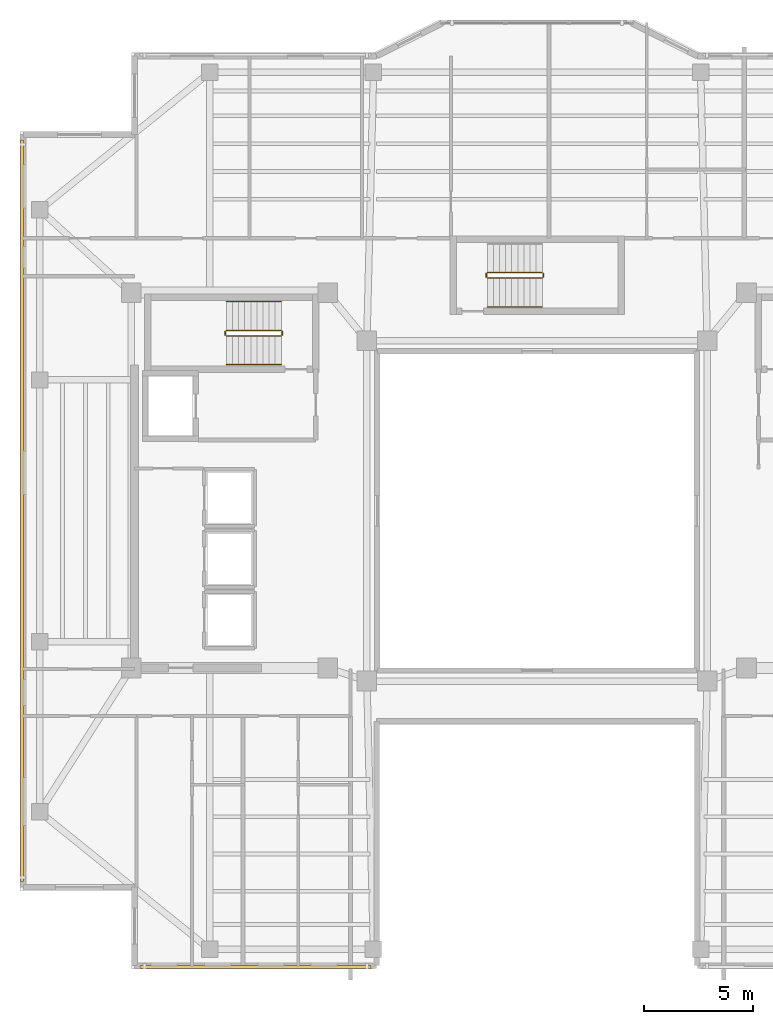
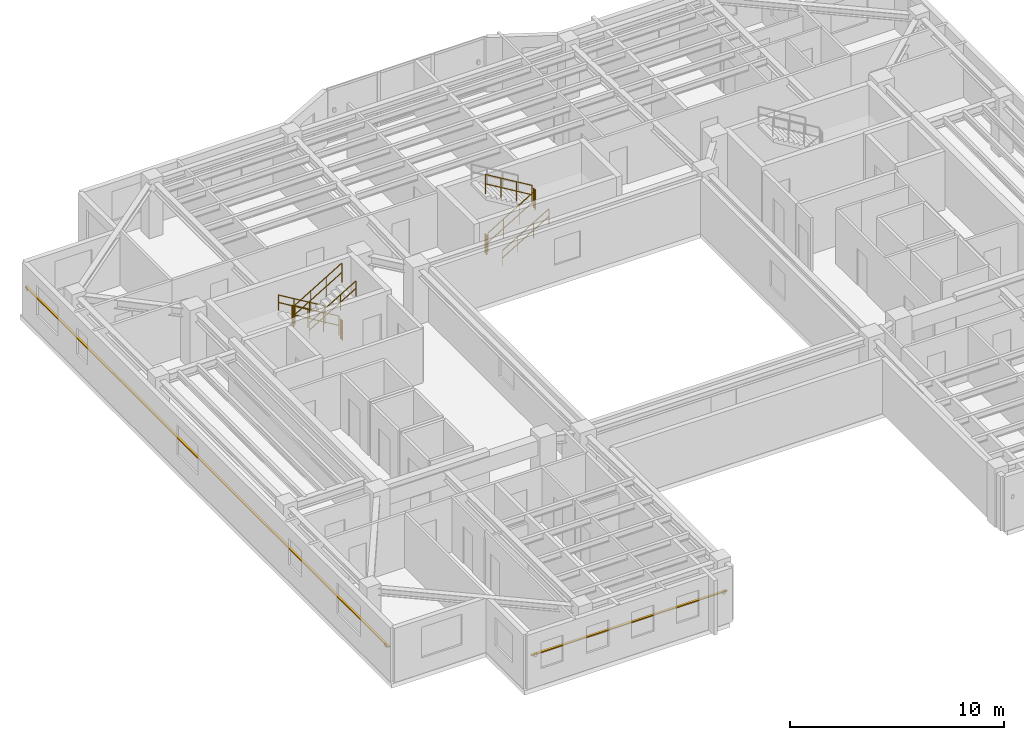
# One storey, part 9 of 11: 11 railings, 2 shading devices.
"""IFC4 building model written with IfcOpenShell, lengths in metres."""

from ifc_helpers import new_model, si_unit, direction, frame, origin, origin_2d, place, context, subcontext, project, spatial, rectangle, circle, extrude, material, material_profile, profile_set, type_object, element, save


model = new_model("IFC4")

# Units and contexts
model_context = context("Model", 3, precision=1e-05, world=origin(), true_north=direction((0.0, 1.0)))
body_context = subcontext(model_context, "Body", "Model", "MODEL_VIEW")
ifc_project = project(units=[si_unit("LENGTHUNIT", "METRE"), si_unit("AREAUNIT", "SQUARE_METRE"), si_unit("VOLUMEUNIT", "CUBIC_METRE"), si_unit("PLANEANGLEUNIT", "RADIAN"), si_unit("MASSUNIT", "GRAM", prefix="KILO")], contexts=[model_context])

# Site, building, storey
site_placement = place(None, origin())
site = spatial("IfcSite", under=ifc_project, at=site_placement, CompositionType="ELEMENT")
building_placement = place(site_placement, origin())
building = spatial("IfcBuilding", under=site, at=building_placement, Name="Tarnavaz Court Tower", CompositionType="ELEMENT")
storey_placement = place(building_placement, frame((0.0, 0.0, 217.050048828125)))
storey = spatial("IfcBuildingStorey", under=building, at=storey_placement, Name="L59", CompositionType="ELEMENT", Elevation=217.050048828125)

# Railings
ifc_material_1 = material(Name="Brushed Stainless Steel", Category="steel")
railing_type_1 = type_object("IfcRailingType", Name="RL-HANDRAIL-900", PredefinedType="HANDRAIL", material=ifc_material_1)
railing_1_placement = place(storey_placement, frame((-11.719970703125, 9.590087890625, 0.16748046875)))
element("IfcRailing", 1, at=railing_1_placement, inside=storey, type_object=railing_type_1, Name="L59 ST-W1 stair handrail 1", PredefinedType="HANDRAIL", context=body_context, shape_type="SweptSolid", body=[
    extrude(circle(Radius=0.02392578125, at=origin_2d()), frame((0.0, 0.0, 0.8759765625), z_axis=(-0.858159760407, 0.0, 0.513382728203), x_axis=(0.0, -1.0, 0.0)), (0.0, 0.0, 1.0), 2.9365234375),
    extrude(circle(Radius=0.02392578125, at=origin_2d()), frame((0.0, 0.0, 0.449951171875), z_axis=(-0.858159760407, 0.0, 0.513382728203), x_axis=(0.0, -1.0, 0.0)), (0.0, 0.0, 1.0), 2.9365234375),
    extrude(circle(Radius=0.02099609375, at=origin_2d()), origin(), (0.0, 0.0, 1.0), 0.851806640625),
    extrude(circle(Radius=0.02099609375, at=origin_2d()), frame((-0.840087890625, 0.0, 0.50244140625)), (0.0, 0.0, 1.0), 0.851806640625),
    extrude(circle(Radius=0.02099609375, at=origin_2d()), frame((-1.679931640625, 0.0, 1.005126953125)), (0.0, 0.0, 1.0), 0.851806640625),
    extrude(circle(Radius=0.02099609375, at=origin_2d()), frame((-2.52001953125, 0.0, 1.507568359375)), (0.0, 0.0, 1.0), 0.851806640625),
])
railing_2_placement = place(storey_placement, frame((-14.239990234375, 6.699951171875, 1.842529296875)))
element("IfcRailing", 2, at=railing_2_placement, inside=storey, type_object=railing_type_1, Name="L59 ST-W1 stair handrail 2", PredefinedType="HANDRAIL", context=body_context, shape_type="SweptSolid", body=[
    extrude(circle(Radius=0.02392578125, at=origin_2d()), frame((0.0, 0.0, 0.8759765625), z_axis=(0.858196387827, 0.0, 0.513321497621), x_axis=(0.0, 1.0, 0.0)), (0.0, 0.0, 1.0), 2.9365234375),
    extrude(circle(Radius=0.02392578125, at=origin_2d()), frame((0.0, 0.0, 0.449951171875), z_axis=(0.858196387827, 0.0, 0.513321497621), x_axis=(0.0, 1.0, 0.0)), (0.0, 0.0, 1.0), 2.9365234375),
    extrude(circle(Radius=0.02099609375, at=origin_2d()), origin(), (0.0, 0.0, 1.0), 0.851806640625),
    extrude(circle(Radius=0.02099609375, at=origin_2d()), frame((0.840087890625, 0.0, 0.50244140625)), (0.0, 0.0, 1.0), 0.851806640625),
    extrude(circle(Radius=0.02099609375, at=origin_2d()), frame((1.679931640625, 0.0, 1.0048828125)), (0.0, 0.0, 1.0), 0.851806640625),
    extrude(circle(Radius=0.02099609375, at=origin_2d()), frame((2.52001953125, 0.0, 1.50732421875)), (0.0, 0.0, 1.0), 0.851806640625),
])
railing_3_placement = place(storey_placement, frame((-2.280029296875, 9.35009765625, 0.16748046875)))
element("IfcRailing", 3, at=railing_3_placement, inside=storey, type_object=railing_type_1, Name="L59 ST-N1 stair handrail 1", PredefinedType="HANDRAIL", context=body_context, shape_type="SweptSolid", body=[
    extrude(circle(Radius=0.02392578125, at=origin_2d()), frame((0.0, 0.0, 0.8759765625), z_axis=(0.858159760407, 0.0, 0.513382728203), x_axis=(0.0, 1.0, 0.0)), (0.0, 0.0, 1.0), 2.9365234375),
    extrude(circle(Radius=0.02392578125, at=origin_2d()), frame((0.0, 0.0, 0.449951171875), z_axis=(0.858159760407, 0.0, 0.513382728203), x_axis=(0.0, 1.0, 0.0)), (0.0, 0.0, 1.0), 2.9365234375),
    extrude(circle(Radius=0.02099609375, at=origin_2d()), origin(), (0.0, 0.0, 1.0), 0.851806640625),
    extrude(circle(Radius=0.02099609375, at=origin_2d()), frame((0.840087890625, 0.0, 0.50244140625)), (0.0, 0.0, 1.0), 0.851806640625),
    extrude(circle(Radius=0.02099609375, at=origin_2d()), frame((1.679931640625, 0.0, 1.005126953125)), (0.0, 0.0, 1.0), 0.851806640625),
    extrude(circle(Radius=0.02099609375, at=origin_2d()), frame((2.52001953125, 0.0, 1.507568359375)), (0.0, 0.0, 1.0), 0.851806640625),
])
ifc_material_2 = material(Name="Galvanized Painted Tubular Steel", Category="steel")
railing_type_2 = type_object("IfcRailingType", Name="RL-STGUARD-1120", PredefinedType="GUARDRAIL", material=ifc_material_2)
railing_4_placement = place(storey_placement, frame((-11.719970703125, 8.27001953125, 0.16748046875)))
element("IfcRailing", 4, at=railing_4_placement, inside=storey, type_object=railing_type_2, Name="L59 ST-W1 stair guard 1", PredefinedType="GUARDRAIL", context=body_context, shape_type="SweptSolid", body=[
    extrude(circle(Radius=0.02392578125, at=origin_2d()), frame((0.0, 0.0, 1.09619140625), z_axis=(-0.858159760407, 0.0, 0.513382728203), x_axis=(0.0, -1.0, 0.0)), (0.0, 0.0, 1.0), 2.9365234375),
    extrude(circle(Radius=0.02392578125, at=origin_2d()), frame((0.0, 0.0, 0.56005859375), z_axis=(-0.858159760407, 0.0, 0.513382728203), x_axis=(0.0, -1.0, 0.0)), (0.0, 0.0, 1.0), 2.9365234375),
    extrude(circle(Radius=0.02099609375, at=origin_2d()), origin(), (0.0, 0.0, 1.0), 1.072021484375),
    extrude(circle(Radius=0.02099609375, at=origin_2d()), frame((-0.840087890625, 0.0, 0.50244140625)), (0.0, 0.0, 1.0), 1.072021484375),
    extrude(circle(Radius=0.02099609375, at=origin_2d()), frame((-1.679931640625, 0.0, 1.005126953125)), (0.0, 0.0, 1.0), 1.072021484375),
    extrude(circle(Radius=0.02099609375, at=origin_2d()), frame((-2.52001953125, 0.0, 1.507568359375)), (0.0, 0.0, 1.0), 1.072021484375),
])
railing_5_placement = place(storey_placement, frame((-14.2900390625, 8.219970703125, 1.675048828125)))
element("IfcRailing", 5, at=railing_5_placement, inside=storey, type_object=railing_type_2, Name="L59 ST-W1 stair guard 2", PredefinedType="GUARDRAIL", context=body_context, shape_type="SweptSolid", body=[
    extrude(circle(Radius=0.02392578125, at=origin_2d()), frame((0.0, 0.0, 1.09619140625), z_axis=(0.0, -1.0, 0.0), x_axis=(1.0, 0.0, 0.0)), (0.0, 0.0, 1.0), 0.14990234375),
    extrude(circle(Radius=0.02392578125, at=origin_2d()), frame((0.0, 0.0, 0.56005859375), z_axis=(0.0, -1.0, 0.0), x_axis=(1.0, 0.0, 0.0)), (0.0, 0.0, 1.0), 0.14990234375),
    extrude(circle(Radius=0.02099609375, at=origin_2d()), origin(), (0.0, 0.0, 1.0), 1.072021484375),
    extrude(circle(Radius=0.02099609375, at=origin_2d()), frame((0.0, -0.14990234375, 0.0)), (0.0, 0.0, 1.0), 1.072021484375),
])
railing_6_placement = place(storey_placement, frame((-14.239990234375, 8.02001953125, 1.842529296875)))
element("IfcRailing", 6, at=railing_6_placement, inside=storey, type_object=railing_type_2, Name="L59 ST-W1 stair guard 3", PredefinedType="GUARDRAIL", context=body_context, shape_type="SweptSolid", body=[
    extrude(circle(Radius=0.02392578125, at=origin_2d()), frame((0.0, 0.0, 1.09619140625), z_axis=(0.858196387827, 0.0, 0.513321497621), x_axis=(0.0, 1.0, 0.0)), (0.0, 0.0, 1.0), 2.9365234375),
    extrude(circle(Radius=0.02392578125, at=origin_2d()), frame((0.0, 0.0, 0.56005859375), z_axis=(0.858196387827, 0.0, 0.513321497621), x_axis=(0.0, 1.0, 0.0)), (0.0, 0.0, 1.0), 2.9365234375),
    extrude(circle(Radius=0.02099609375, at=origin_2d()), origin(), (0.0, 0.0, 1.0), 1.072021484375),
    extrude(circle(Radius=0.02099609375, at=origin_2d()), frame((0.840087890625, 0.0, 0.50244140625)), (0.0, 0.0, 1.0), 1.072021484375),
    extrude(circle(Radius=0.02099609375, at=origin_2d()), frame((1.679931640625, 0.0, 1.0048828125)), (0.0, 0.0, 1.0), 1.072021484375),
    extrude(circle(Radius=0.02099609375, at=origin_2d()), frame((2.52001953125, 0.0, 1.50732421875)), (0.0, 0.0, 1.0), 1.072021484375),
])
railing_7_placement = place(storey_placement, frame((-11.669921875, 8.219970703125, 0.0)))
element("IfcRailing", 7, at=railing_7_placement, inside=storey, type_object=railing_type_2, Name="L59 ST-W1 stair guard 4", PredefinedType="GUARDRAIL", context=body_context, shape_type="SweptSolid", body=[
    extrude(circle(Radius=0.02392578125, at=origin_2d()), frame((0.0, 0.0, 1.09619140625), z_axis=(0.0, -1.0, 0.0), x_axis=(1.0, 0.0, 0.0)), (0.0, 0.0, 1.0), 0.14990234375),
    extrude(circle(Radius=0.02392578125, at=origin_2d()), frame((0.0, 0.0, 0.56005859375), z_axis=(0.0, -1.0, 0.0), x_axis=(1.0, 0.0, 0.0)), (0.0, 0.0, 1.0), 0.14990234375),
    extrude(circle(Radius=0.02099609375, at=origin_2d()), origin(), (0.0, 0.0, 1.0), 1.072021484375),
    extrude(circle(Radius=0.02099609375, at=origin_2d()), frame((0.0, -0.14990234375, 0.0)), (0.0, 0.0, 1.0), 1.072021484375),
])
railing_8_placement = place(storey_placement, frame((-2.280029296875, 10.669921875, 0.16748046875)))
element("IfcRailing", 8, at=railing_8_placement, inside=storey, type_object=railing_type_2, Name="L59 ST-N1 stair guard 1", PredefinedType="GUARDRAIL", context=body_context, shape_type="SweptSolid", body=[
    extrude(circle(Radius=0.02392578125, at=origin_2d()), frame((0.0, 0.0, 1.09619140625), z_axis=(0.858159760407, 0.0, 0.513382728203), x_axis=(0.0, 1.0, 0.0)), (0.0, 0.0, 1.0), 2.9365234375),
    extrude(circle(Radius=0.02392578125, at=origin_2d()), frame((0.0, 0.0, 0.56005859375), z_axis=(0.858159760407, 0.0, 0.513382728203), x_axis=(0.0, 1.0, 0.0)), (0.0, 0.0, 1.0), 2.9365234375),
    extrude(circle(Radius=0.02099609375, at=origin_2d()), origin(), (0.0, 0.0, 1.0), 1.072021484375),
    extrude(circle(Radius=0.02099609375, at=origin_2d()), frame((0.840087890625, 0.0, 0.50244140625)), (0.0, 0.0, 1.0), 1.072021484375),
    extrude(circle(Radius=0.02099609375, at=origin_2d()), frame((1.679931640625, 0.0, 1.005126953125)), (0.0, 0.0, 1.0), 1.072021484375),
    extrude(circle(Radius=0.02099609375, at=origin_2d()), frame((2.52001953125, 0.0, 1.507568359375)), (0.0, 0.0, 1.0), 1.072021484375),
])
railing_9_placement = place(storey_placement, frame((0.2900390625, 10.719970703125, 1.675048828125)))
element("IfcRailing", 9, at=railing_9_placement, inside=storey, type_object=railing_type_2, Name="L59 ST-N1 stair guard 2", PredefinedType="GUARDRAIL", context=body_context, shape_type="SweptSolid", body=[
    extrude(circle(Radius=0.02392578125, at=origin_2d()), frame((0.0, 0.0, 1.09619140625), z_axis=(0.0, 1.0, 0.0), x_axis=(-1.0, 0.0, 0.0)), (0.0, 0.0, 1.0), 0.150146484375),
    extrude(circle(Radius=0.02392578125, at=origin_2d()), frame((0.0, 0.0, 0.56005859375), z_axis=(0.0, 1.0, 0.0), x_axis=(-1.0, 0.0, 0.0)), (0.0, 0.0, 1.0), 0.150146484375),
    extrude(circle(Radius=0.02099609375, at=origin_2d()), origin(), (0.0, 0.0, 1.0), 1.072021484375),
    extrude(circle(Radius=0.02099609375, at=origin_2d()), frame((0.0, 0.150146484375, 0.0)), (0.0, 0.0, 1.0), 1.072021484375),
])
railing_10_placement = place(storey_placement, frame((0.239990234375, 10.919921875, 1.842529296875)))
element("IfcRailing", 10, at=railing_10_placement, inside=storey, type_object=railing_type_2, Name="L59 ST-N1 stair guard 3", PredefinedType="GUARDRAIL", context=body_context, shape_type="SweptSolid", body=[
    extrude(circle(Radius=0.02392578125, at=origin_2d()), frame((0.0, 0.0, 1.09619140625), z_axis=(-0.858196387827, 0.0, 0.513321497621), x_axis=(0.0, -1.0, 0.0)), (0.0, 0.0, 1.0), 2.9365234375),
    extrude(circle(Radius=0.02392578125, at=origin_2d()), frame((0.0, 0.0, 0.56005859375), z_axis=(-0.858196387827, 0.0, 0.513321497621), x_axis=(0.0, -1.0, 0.0)), (0.0, 0.0, 1.0), 2.9365234375),
    extrude(circle(Radius=0.02099609375, at=origin_2d()), origin(), (0.0, 0.0, 1.0), 1.072021484375),
    extrude(circle(Radius=0.02099609375, at=origin_2d()), frame((-0.840087890625, 0.0, 0.50244140625)), (0.0, 0.0, 1.0), 1.072021484375),
    extrude(circle(Radius=0.02099609375, at=origin_2d()), frame((-1.679931640625, 0.0, 1.0048828125)), (0.0, 0.0, 1.0), 1.072021484375),
    extrude(circle(Radius=0.02099609375, at=origin_2d()), frame((-2.52001953125, 0.0, 1.50732421875)), (0.0, 0.0, 1.0), 1.072021484375),
])
railing_11_placement = place(storey_placement, frame((-2.330078125, 10.719970703125, 0.0)))
element("IfcRailing", 11, at=railing_11_placement, inside=storey, type_object=railing_type_2, Name="L59 ST-N1 stair guard 4", PredefinedType="GUARDRAIL", context=body_context, shape_type="SweptSolid", body=[
    extrude(circle(Radius=0.02392578125, at=origin_2d()), frame((0.0, 0.0, 1.09619140625), z_axis=(0.0, 1.0, 0.0), x_axis=(-1.0, 0.0, 0.0)), (0.0, 0.0, 1.0), 0.150146484375),
    extrude(circle(Radius=0.02392578125, at=origin_2d()), frame((0.0, 0.0, 0.56005859375), z_axis=(0.0, 1.0, 0.0), x_axis=(-1.0, 0.0, 0.0)), (0.0, 0.0, 1.0), 0.150146484375),
    extrude(circle(Radius=0.02099609375, at=origin_2d()), origin(), (0.0, 0.0, 1.0), 1.072021484375),
    extrude(circle(Radius=0.02099609375, at=origin_2d()), frame((0.0, 0.150146484375, 0.0)), (0.0, 0.0, 1.0), 1.072021484375),
])

# Shading devices
ifc_material_3 = material(Name="Kiln-Fired Khorasan Terracotta Ceramic", Category="masonry")
ifc_material_profile = material_profile(ifc_material_3, rectangle(XDim=0.1201171875, YDim=0.06005859375, at=origin_2d()), Name="TC BAGUETTE 120X60")
ifc_profile_set = profile_set([ifc_material_profile], Name="Kiln-Fired Khorasan Terracotta Ceramic")
shading_device_type = type_object("IfcShadingDeviceType", Name="SD-BAG-120", PredefinedType="USERDEFINED", material=ifc_profile_set)
shading_device_1_placement = place(storey_placement, frame((-23.610107421875, -17.0, 1.849853515625), z_axis=(0.0, 1.0, 0.0), x_axis=(-1.0, 0.0, 0.0)))
element("IfcShadingDevice", 12, at=shading_device_1_placement, inside=storey, type_object=shading_device_type, Name="L59 Terracotta Baguette Screen FBG02", ObjectType="BAGUETTE", PredefinedType="USERDEFINED", context=body_context, shape_type="SweptSolid", body=[
    extrude(rectangle(XDim=0.1201171875, YDim=0.06005859375, at=origin_2d()), origin(), (0.0, 0.0, 1.0), 34.0),
])
shading_device_2_placement = place(storey_placement, frame((-7.60009765625, -20.909912109375, 1.849853515625), z_axis=(-1.0, 0.0, 0.0), x_axis=(0.0, -1.0, 0.0)))
element("IfcShadingDevice", 13, at=shading_device_2_placement, inside=storey, type_object=shading_device_type, Name="L59 Terracotta Baguette Screen FBG19", ObjectType="BAGUETTE", PredefinedType="USERDEFINED", context=body_context, shape_type="SweptSolid", body=[
    extrude(rectangle(XDim=0.1201171875, YDim=0.06005859375, at=origin_2d()), origin(), (0.0, 0.0, 1.0), 10.599853515625),
])

save(model, "model.ifc")
